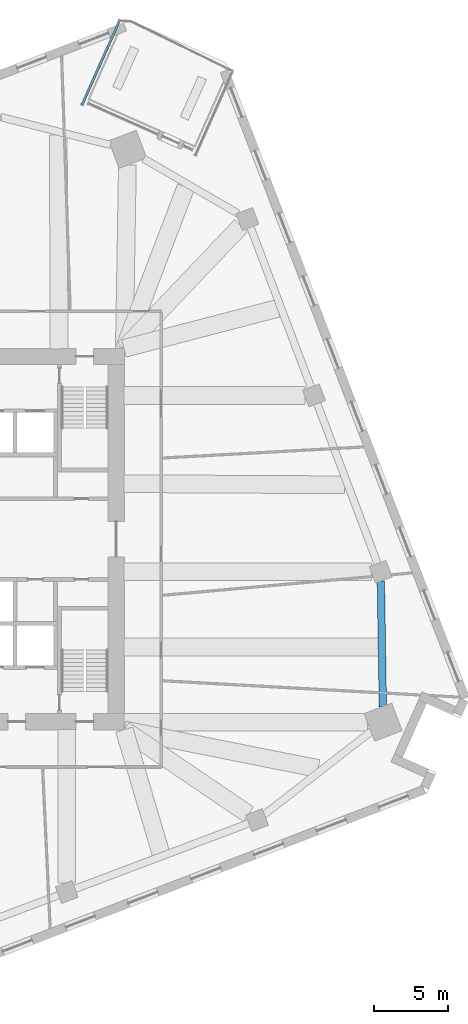
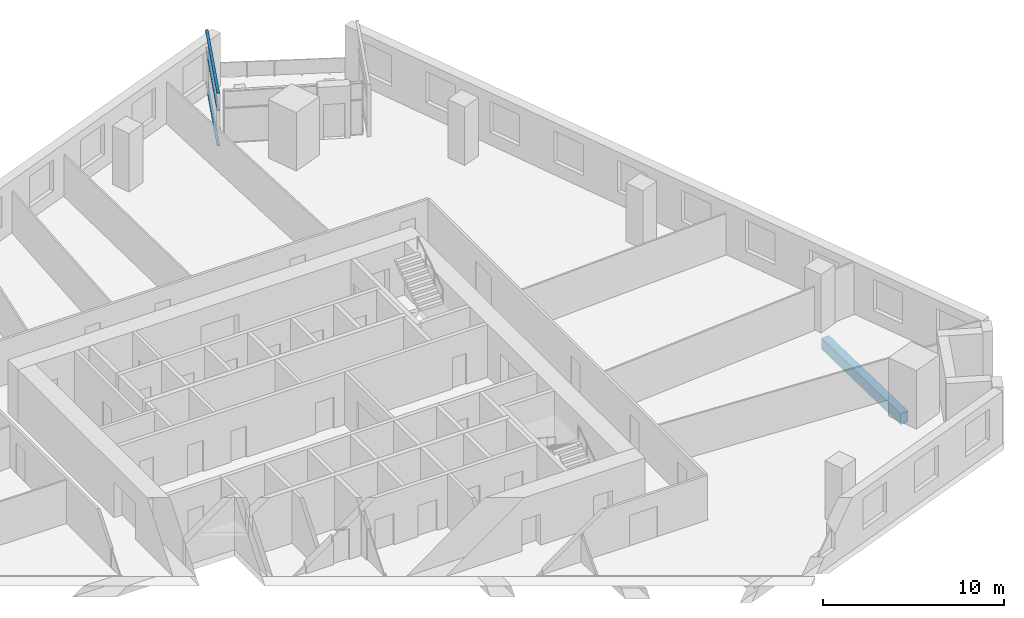
# One storey, part 3 of 14: 3 members, 1 beam, 1 element without a shape of its own.
"""IFC4 building model written with IfcOpenShell, lengths in metres."""

import ifcopenshell
import ifcopenshell.guid

model = None  # the IFC model being written
_history = None  # IfcOwnerHistory: only IFC2X3 demands one
_inside = {}  # id of a spatial element -> (the spatial element, [elements in it])
_under = {}  # id of a project, library or spatial element -> (it, [spatial elements below it])
_declared = {}  # id of a project -> (the project, [libraries it declares])
_typed = {}  # id of a type object -> (the type object, [elements of that type])
_made_of = {}  # id of a material, layer set ... -> (it, [elements and type objects made of it])


def new_model(schema):
    """Start an empty IFC model of exactly this schema.

    Asked for "IFC4X3", IfcOpenShell would pick the latest addendum, in which some entities
    have other attributes; the version numbers below select the first issue.
    IFC2X3 requires an IfcOwnerHistory on every rooted entity: one is made here for all.
    """
    global model, _history
    if schema == "IFC4X3":
        model = ifcopenshell.file(schema_version=(4, 3, 0, 0))
    else:
        model = ifcopenshell.file(schema=schema)
    _inside.clear()
    _under.clear()
    _declared.clear()
    _typed.clear()
    _made_of.clear()
    _history = None
    if model.schema == "IFC2X3":
        org = make("IfcOrganization", Name="unknown")
        user = make(
            "IfcPersonAndOrganization",
            ThePerson=make("IfcPerson", FamilyName="unknown"),
            TheOrganization=org,
        )
        app = make(
            "IfcApplication",
            ApplicationDeveloper=org,
            Version="unknown",
            ApplicationFullName="unknown",
            ApplicationIdentifier="unknown",
        )
        _history = make(
            "IfcOwnerHistory",
            OwningUser=user,
            OwningApplication=app,
            ChangeAction="ADDED",
            CreationDate=0,
        )
    return model


def make(cls, **values):
    """One entity of the class cls with the attributes given. An attribute that is None is left unset."""
    return model.create_entity(
        cls, **{name: value for name, value in values.items() if value is not None}
    )


def rooted(cls, **values):
    """An entity with a GlobalId (a new one), such as an element, a storey or a relation."""
    return make(cls, GlobalId=ifcopenshell.guid.new(), OwnerHistory=_history, **values)


def si_unit(unit_type, name, prefix=None):
    """IfcSIUnit, for example si_unit("LENGTHUNIT", "METRE", prefix="MILLI")."""
    return make("IfcSIUnit", UnitType=unit_type, Prefix=prefix, Name=name)


def assignment(units):
    """IfcUnitAssignment: the units of a project."""
    return None if units is None else make("IfcUnitAssignment", Units=units)


def point(xyz):
    """IfcCartesianPoint."""
    return None if xyz is None else make("IfcCartesianPoint", Coordinates=xyz)


def direction(xyz):
    """IfcDirection."""
    return None if xyz is None else make("IfcDirection", DirectionRatios=xyz)


def frame(location, z_axis=None, x_axis=None):
    """IfcAxis2Placement3D, a coordinate frame: its origin and axes. An axis left out is left unset."""
    return make(
        "IfcAxis2Placement3D",
        Location=point(location),
        Axis=direction(z_axis),
        RefDirection=direction(x_axis),
    )


def frame_2d(location, x_axis=None):
    """IfcAxis2Placement2D, a coordinate frame in the plane: its origin and x axis."""
    return make(
        "IfcAxis2Placement2D", Location=point(location), RefDirection=direction(x_axis)
    )


def origin():
    """The frame at (0, 0, 0) with its axes left unset."""
    return frame((0.0, 0.0, 0.0))


def origin_2d():
    """The frame at (0, 0) in the plane with its x axis left unset."""
    return frame_2d((0.0, 0.0))


def place(relative_to, where):
    """IfcLocalPlacement: puts the frame where relative to a parent placement (None: the world)."""
    return make(
        "IfcLocalPlacement", PlacementRelTo=relative_to, RelativePlacement=where
    )


def context(
    kind, dimensions, precision=None, world=None, true_north=None, identifier=None
):
    """IfcGeometricRepresentationContext, for example the 3D "Model" context."""
    return make(
        "IfcGeometricRepresentationContext",
        ContextIdentifier=identifier,
        ContextType=kind,
        CoordinateSpaceDimension=dimensions,
        Precision=precision,
        WorldCoordinateSystem=world,
        TrueNorth=true_north,
    )


def subcontext(parent, identifier, kind, view, scale=None):
    """IfcGeometricRepresentationSubContext, for example "Body" below "Model"."""
    return make(
        "IfcGeometricRepresentationSubContext",
        ContextIdentifier=identifier,
        ContextType=kind,
        ParentContext=parent,
        TargetScale=scale,
        TargetView=view,
    )


def project(units=None, contexts=None):
    """IfcProject with its units and contexts."""
    return rooted(
        "IfcProject",
        Name="project",
        RepresentationContexts=contexts,
        UnitsInContext=assignment(units),
    )


def spatial(cls, under=None, at=None, **own):
    """A site, building, storey or space (cls), placed at a placement, below another one or the project."""
    s = rooted(cls, ObjectPlacement=at, **own)
    if under is not None:
        _under.setdefault(under.id(), (under, []))[1].append(s)
    return s


def profile(cls, at=None, kind="AREA", **sizes):
    """A parametric profile (cls). Its sizes go by their IFC names, for example OverallWidth=200.0."""
    return make(cls, ProfileType=kind, Position=at, **sizes)


def rectangle(**sizes):
    """IfcRectangleProfileDef."""
    return profile("IfcRectangleProfileDef", **sizes)


def extrude(swept, where, along, depth):
    """IfcExtrudedAreaSolid: the profile swept, set in the frame where, extruded along a direction by depth."""
    return make(
        "IfcExtrudedAreaSolid",
        SweptArea=swept,
        Position=where,
        ExtrudedDirection=direction(along),
        Depth=depth,
    )


def shape(context_of_items, identifier, shape_type, items):
    """IfcShapeRepresentation: the items that make up one representation, for example the "Body"."""
    return make(
        "IfcShapeRepresentation",
        ContextOfItems=context_of_items,
        RepresentationIdentifier=identifier,
        RepresentationType=shape_type,
        Items=items,
    )


def material(Name=None, Category=None):
    """IfcMaterial."""
    return make("IfcMaterial", Name=Name, Category=Category)


def material_profile(
    of_material, cross_section, Name=None, Category=None, Priority=None
):
    """IfcMaterialProfile: a cross section and its material."""
    return make(
        "IfcMaterialProfile",
        Name=Name,
        Material=of_material,
        Profile=cross_section,
        Priority=Priority,
        Category=Category,
    )


def profile_set(profiles, Name=None, composite=None):
    """IfcMaterialProfileSet."""
    return make(
        "IfcMaterialProfileSet",
        Name=Name,
        MaterialProfiles=profiles,
        CompositeProfile=composite,
    )


def made_of(thing, what):
    """Note that an element or type object is made of a material, layer set ...; save() writes the relation."""
    if what is not None:
        _made_of.setdefault(what.id(), (what, []))[1].append(thing)
    return thing


def type_object(cls, material=None, **own):
    """A type object (cls), such as IfcWallType, which elements share."""
    return made_of(rooted(cls, **own), material)


def element(
    cls,
    number,
    at=None,
    inside=None,
    cuts=None,
    type_object=None,
    material=None,
    context=None,
    identifier="Body",
    shape_type=None,
    held_by="IfcProductDefinitionShape",
    body=None,
    shapes=None,
    **own,
):
    """One element of the class cls, such as IfcWall. Its Tag is "e" and its number.

    at: its placement. inside: the storey or other place that contains it. cuts: it is an
    opening in that element (IfcRelVoidsElement). A single representation is given by context,
    identifier, shape_type and body (its items); several are given by shapes. held_by: the class
    of the entity that holds the representations. save() writes the other relations.
    """
    e = rooted(cls, Tag="e%d" % number, ObjectPlacement=at, **own)
    if body is not None:
        shapes = [shape(context, identifier, shape_type, body)]
    if shapes is not None:
        e.Representation = make(held_by, Representations=shapes)
    if inside is not None:
        _inside.setdefault(inside.id(), (inside, []))[1].append(e)
    if cuts is not None:
        rooted(
            "IfcRelVoidsElement", RelatingBuildingElement=cuts, RelatedOpeningElement=e
        )
    if type_object is not None:
        _typed.setdefault(type_object.id(), (type_object, []))[1].append(e)
    return made_of(e, material)


def aggregate(whole, parts):
    """IfcRelAggregates: a whole, such as a stair, and the parts it consists of."""
    return rooted("IfcRelAggregates", RelatingObject=whole, RelatedObjects=parts)


def save(model, path):
    """Write the relations noted so far, then the file.

    IfcRelAggregates (storeys below a building ...), IfcRelContainedInSpatialStructure (elements
    in a storey), IfcRelDefinesByType, IfcRelAssociatesMaterial and IfcRelDeclares: one each for
    every whole, place, type object, material and project.
    """
    for whole, parts in _under.values():
        aggregate(whole, parts)
    for where, things in _inside.values():
        rooted(
            "IfcRelContainedInSpatialStructure",
            RelatedElements=things,
            RelatingStructure=where,
        )
    for kind, things in _typed.values():
        rooted("IfcRelDefinesByType", RelatedObjects=things, RelatingType=kind)
    for what, things in _made_of.values():
        rooted("IfcRelAssociatesMaterial", RelatedObjects=things, RelatingMaterial=what)
    for by, libraries in _declared.values():
        rooted("IfcRelDeclares", RelatingContext=by, RelatedDefinitions=libraries)
    model.write(path)


model = new_model("IFC4")

# Units and contexts
model_context = context("Model", 3, precision=1e-05, world=origin(), true_north=direction((0.0, 1.0)))
body_context = subcontext(model_context, "Body", "Model", "MODEL_VIEW")
ifc_project = project(units=[si_unit("LENGTHUNIT", "METRE"), si_unit("AREAUNIT", "SQUARE_METRE"), si_unit("VOLUMEUNIT", "CUBIC_METRE"), si_unit("PLANEANGLEUNIT", "RADIAN"), si_unit("MASSUNIT", "GRAM", prefix="KILO")], contexts=[model_context])

# Site, building, storey
site_placement = place(None, origin())
site = spatial("IfcSite", under=ifc_project, at=site_placement, CompositionType="ELEMENT")
building_placement = place(site_placement, origin())
building = spatial("IfcBuilding", under=site, at=building_placement, Name="Dilmun Exchange Tower", CompositionType="ELEMENT")
storey_placement = place(building_placement, frame((0.0, 0.0, 102.10009765625)))
storey = spatial("IfcBuildingStorey", under=building, at=storey_placement, Name="L23", CompositionType="ELEMENT", Elevation=102.10009765625)

# Curtain wall, members
ifc_material_1 = material(Name="Anodised aluminium and clear glass", Category="aluminium")
curtain_wall_type = type_object("IfcCurtainWallType", Name="Garden corner glazing", PredefinedType="NOTDEFINED", material=ifc_material_1)
curtain_wall_placement = place(storey_placement, origin())
curtain_wall = element("IfcCurtainWall", 1, at=curtain_wall_placement, inside=storey, type_object=curtain_wall_type, Name="Garden corner glazing run GC3.1", PredefinedType="NOTDEFINED")
ifc_material_2 = material(Name="Anodised aluminium", Category="aluminium")
ifc_material_profile_1 = material_profile(ifc_material_2, rectangle(XDim=0.159912109375, YDim=0.06005859375, at=origin_2d()), Name="AL 60x160")
ifc_profile_set_1 = profile_set([ifc_material_profile_1], Name="Anodised aluminium")
member_type = type_object("IfcMemberType", Name="Garden corner glazing transom 60 x 160", PredefinedType="USERDEFINED", material=ifc_profile_set_1)
member_1_placement = place(storey_placement, frame((10.048095703125, 29.390625, 0.02978515625), z_axis=(0.406741045913, 0.91354349736, 0.0), x_axis=(-0.91354349736, 0.406741045913, 0.0)))
member_1 = element("IfcMember", 2, at=member_1_placement, type_object=member_type, Name="GC3.1 transom 1.1", ObjectType="TRANSOM", PredefinedType="USERDEFINED", context=body_context, shape_type="SweptSolid", body=[
    extrude(rectangle(XDim=0.159912109375, YDim=0.06005859375, at=origin_2d()), origin(), (0.0, 0.0, 1.0), 6.126708984375),
])
member_2_placement = place(storey_placement, frame((10.048095703125, 29.390625, 2.39990234375), z_axis=(0.406741045913, 0.91354349736, 0.0), x_axis=(-0.91354349736, 0.406741045913, 0.0)))
member_2 = element("IfcMember", 3, at=member_2_placement, type_object=member_type, Name="GC3.1 transom 1.2", ObjectType="TRANSOM", PredefinedType="USERDEFINED", context=body_context, shape_type="SweptSolid", body=[
    extrude(rectangle(XDim=0.159912109375, YDim=0.06005859375, at=origin_2d()), origin(), (0.0, 0.0, 1.0), 6.126708984375),
])
member_3_placement = place(storey_placement, frame((10.048095703125, 29.390625, 3.5498046875), z_axis=(0.406741045913, 0.91354349736, 0.0), x_axis=(-0.91354349736, 0.406741045913, 0.0)))
member_3 = element("IfcMember", 4, at=member_3_placement, type_object=member_type, Name="GC3.1 transom 1.3", ObjectType="TRANSOM", PredefinedType="USERDEFINED", context=body_context, shape_type="SweptSolid", body=[
    extrude(rectangle(XDim=0.159912109375, YDim=0.06005859375, at=origin_2d()), origin(), (0.0, 0.0, 1.0), 6.126708984375),
])
aggregate(curtain_wall, [member_1, member_2, member_3])

# Beam
ifc_material_3 = material(Name="Concrete C40/50", Category="concrete")
ifc_material_profile_2 = material_profile(ifc_material_3, rectangle(XDim=0.5, YDim=0.75, at=origin_2d()), Name="500 x 750")
ifc_profile_set_2 = profile_set([ifc_material_profile_2], Name="Concrete C40/50")
beam_type = type_object("IfcBeamType", Name="RC ring beam 500 x 750 C40/50", PredefinedType="SPANDREL", material=ifc_profile_set_2)
beam_placement = place(storey_placement, frame((30.37744140625, -11.33544921875, -0.795166015625), z_axis=(-0.016054357527, 0.999871120497, 0.0), x_axis=(-0.999871120497, -0.016054357527, 0.0)))
element("IfcBeam", 5, at=beam_placement, inside=storey, type_object=beam_type, Name="Ring beam 13", PredefinedType="SPANDREL", context=body_context, shape_type="SweptSolid", body=[
    extrude(rectangle(XDim=0.5, YDim=0.75, at=origin_2d()), origin(), (0.0, 0.0, 1.0), 8.515869140625),
])

save(model, "model.ifc")
